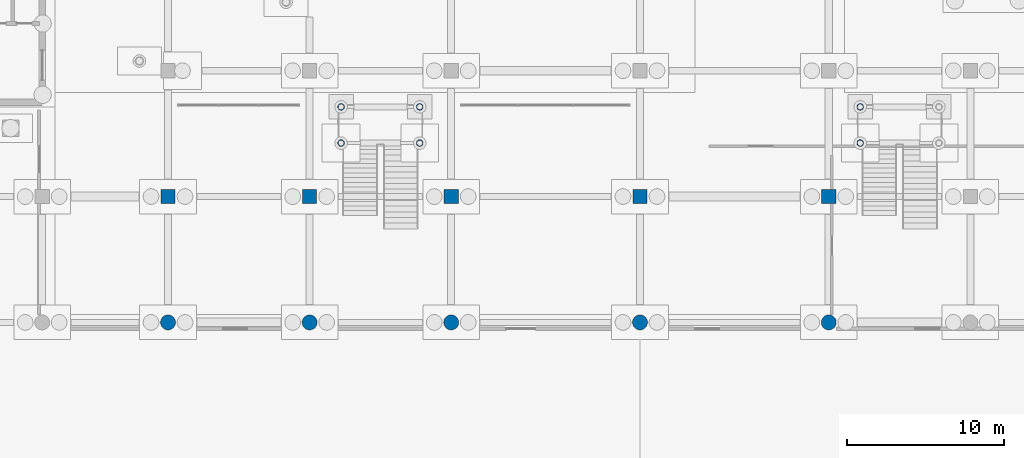
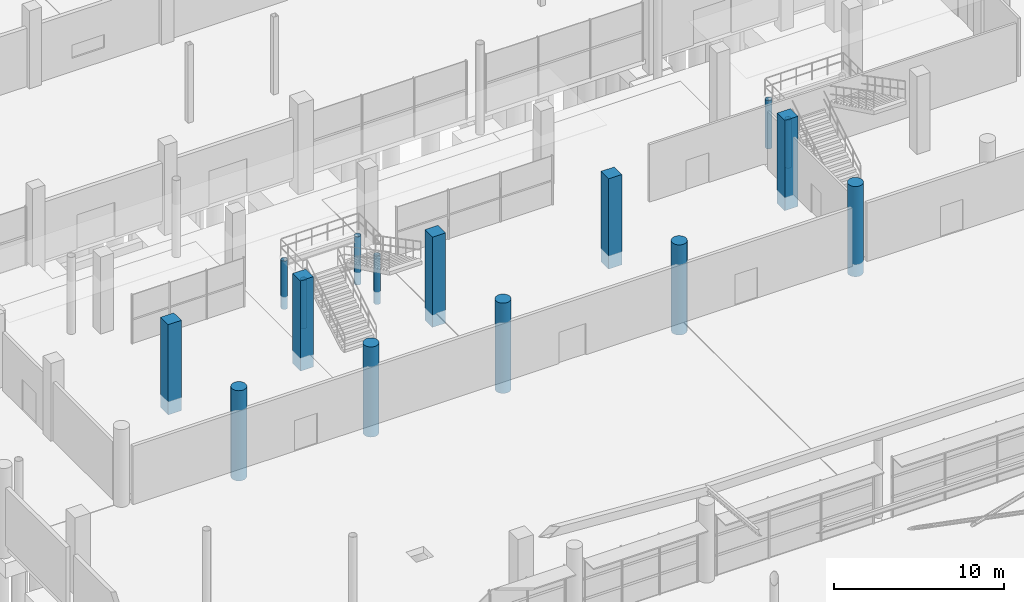
# One storey, part 18 of 98: 16 columns.
"""IFC4 building model written with IfcOpenShell, lengths in metres."""

from ifc_helpers import new_model, si_unit, derived_unit, direction, frame, origin, origin_2d, place, context, subcontext, project, spatial, rectangle, circle, hollow_circle, extrude, material, material_profile, profile_set, type_object, element, save


model = new_model("IFC4")

# Units and contexts
model_context = context("Model", 3, precision=1e-05, world=origin(), true_north=direction((0.0, 1.0)))
body_context = subcontext(model_context, "Body", "Model", "MODEL_VIEW")
ifc_project = project(units=[si_unit("LENGTHUNIT", "METRE"), si_unit("AREAUNIT", "SQUARE_METRE"), si_unit("VOLUMEUNIT", "CUBIC_METRE"), si_unit("PLANEANGLEUNIT", "RADIAN"), si_unit("MASSUNIT", "GRAM", prefix="KILO"), si_unit("THERMODYNAMICTEMPERATUREUNIT", "KELVIN"), derived_unit("THERMALTRANSMITTANCEUNIT", [(si_unit("POWERUNIT", "WATT"), 1), (si_unit("AREAUNIT", "SQUARE_METRE"), -1), (si_unit("THERMODYNAMICTEMPERATUREUNIT", "KELVIN"), -1)])], contexts=[model_context])

# Site, building, storey
site_placement = place(None, origin())
site = spatial("IfcSite", under=ifc_project, at=site_placement, CompositionType="ELEMENT")
building_placement = place(site_placement, origin())
building = spatial("IfcBuilding", under=site, at=building_placement, Name="Haiyu Intermodal Mobility Hub", CompositionType="ELEMENT")
storey_placement = place(building_placement, origin())
storey = spatial("IfcBuildingStorey", under=building, at=storey_placement, Name="L00", CompositionType="ELEMENT", Elevation=0.0)

# Columns
ifc_material_1 = material(Name="Concrete C40", Category="concrete")
ifc_material_profile_1 = material_profile(ifc_material_1, rectangle(XDim=0.89990234375, YDim=0.89990234375, at=origin_2d()), Name="RC900x900")
ifc_profile_set_1 = profile_set([ifc_material_profile_1], Name="Concrete C40")
column_type_1 = type_object("IfcColumnType", Name="COL-CC06", PredefinedType="COLUMN", material=ifc_profile_set_1)
for number, where, z_axis, x_axis, name in (
    (1, (78.0, 72.0, -0.89990234375), (0.0, 0.0, 1.0), (1.0, 0.0, 0.0), "Column V1-9H L00"),
    (2, (87.0, 72.0, -0.89990234375), (0.0, 0.0, 1.0), (1.0, 0.0, 0.0), "Column V1-10H L00"),
    (3, (96.0, 72.0, -0.89990234375), (0.0, 0.0, 1.0), (1.0, 0.0, 0.0), "Column V1-11H L00"),
    (4, (108.0, 72.0, -0.89990234375), (0.0, 0.0, 1.0), (1.0, 0.0, 0.0), "Column V1-12H L00"),
    (5, (120.0, 72.0, -0.89990234375), (0.0, 0.0, 1.0), (1.0, 0.0, 0.0), "Column V1-13H L00"),
):
    element("IfcColumn", number, at=place(storey_placement, frame(where, z_axis=z_axis, x_axis=x_axis)), inside=storey, type_object=column_type_1, Name=name, PredefinedType="COLUMN", context=body_context, shape_type="SweptSolid", body=[
        extrude(rectangle(XDim=0.89990234375, YDim=0.89990234375, at=origin_2d()), origin(), (0.0, 0.0, 1.0), 6.5),
    ])
ifc_material_profile_2 = material_profile(ifc_material_1, circle(Radius=0.47509765625, at=origin_2d()), Name="RCCOL-D950")
ifc_profile_set_2 = profile_set([ifc_material_profile_2], Name="Concrete C40")
column_type_2 = type_object("IfcColumnType", Name="COL-CR03", PredefinedType="COLUMN", material=ifc_profile_set_2)
for number, where, z_axis, x_axis, name in (
    (6, (78.0, 64.0, -0.89990234375), (0.0, 0.0, 1.0), (1.0, 0.0, 0.0), "Column V1-9G L00"),
    (7, (87.0, 64.0, -0.89990234375), (0.0, 0.0, 1.0), (1.0, 0.0, 0.0), "Column V1-10G L00"),
    (8, (96.0, 64.0, -0.89990234375), (0.0, 0.0, 1.0), (1.0, 0.0, 0.0), "Column V1-11G L00"),
    (9, (108.0, 64.0, -0.89990234375), (0.0, 0.0, 1.0), (1.0, 0.0, 0.0), "Column V1-12G L00"),
    (10, (120.0, 64.0, -0.89990234375), (0.0, 0.0, 1.0), (1.0, 0.0, 0.0), "Column V1-13G L00"),
):
    element("IfcColumn", number, at=place(storey_placement, frame(where, z_axis=z_axis, x_axis=x_axis)), inside=storey, type_object=column_type_2, Name=name, PredefinedType="COLUMN", context=body_context, shape_type="SweptSolid", body=[
        extrude(circle(Radius=0.47509765625, at=origin_2d()), origin(), (0.0, 0.0, 1.0), 6.5),
    ])
ifc_material_2 = material(Name="Steel Q355C", Category="steel")
ifc_material_profile_3 = material_profile(ifc_material_2, hollow_circle(Radius=0.202880859375, WallThickness=0.013916015625, at=origin_2d()), Name="CHS406x14")
ifc_profile_set_3 = profile_set([ifc_material_profile_3], Name="Steel Q355C")
column_type_3 = type_object("IfcColumnType", Name="COL-SC03", PredefinedType="COLUMN", material=ifc_profile_set_3)
for number, where, z_axis, x_axis, name in (
    (11, (89.0, 75.39990234375, -0.89990234375), (0.0, 0.0, 1.0), (1.0, 0.0, 0.0), "Column MST1-WS L00"),
    (12, (89.0, 77.699951171875, -0.89990234375), (0.0, 0.0, 1.0), (1.0, 0.0, 0.0), "Column MST1-WN L00"),
    (13, (94.0, 75.39990234375, -0.89990234375), (0.0, 0.0, 1.0), (1.0, 0.0, 0.0), "Column MST1-ES L00"),
    (14, (94.0, 77.699951171875, -0.89990234375), (0.0, 0.0, 1.0), (1.0, 0.0, 0.0), "Column MST1-EN L00"),
    (15, (122.0, 75.39990234375, -0.89990234375), (0.0, 0.0, 1.0), (1.0, 0.0, 0.0), "Column MST2-WS L00"),
    (16, (122.0, 77.699951171875, -0.89990234375), (0.0, 0.0, 1.0), (1.0, 0.0, 0.0), "Column MST2-WN L00"),
):
    element("IfcColumn", number, at=place(storey_placement, frame(where, z_axis=z_axis, x_axis=x_axis)), inside=storey, type_object=column_type_3, Name=name, PredefinedType="COLUMN", context=body_context, shape_type="SweptSolid", body=[
        extrude(hollow_circle(Radius=0.202880859375, WallThickness=0.013916015625, at=origin_2d()), origin(), (0.0, 0.0, 1.0), 3.47998046875),
    ])

save(model, "model.ifc")
